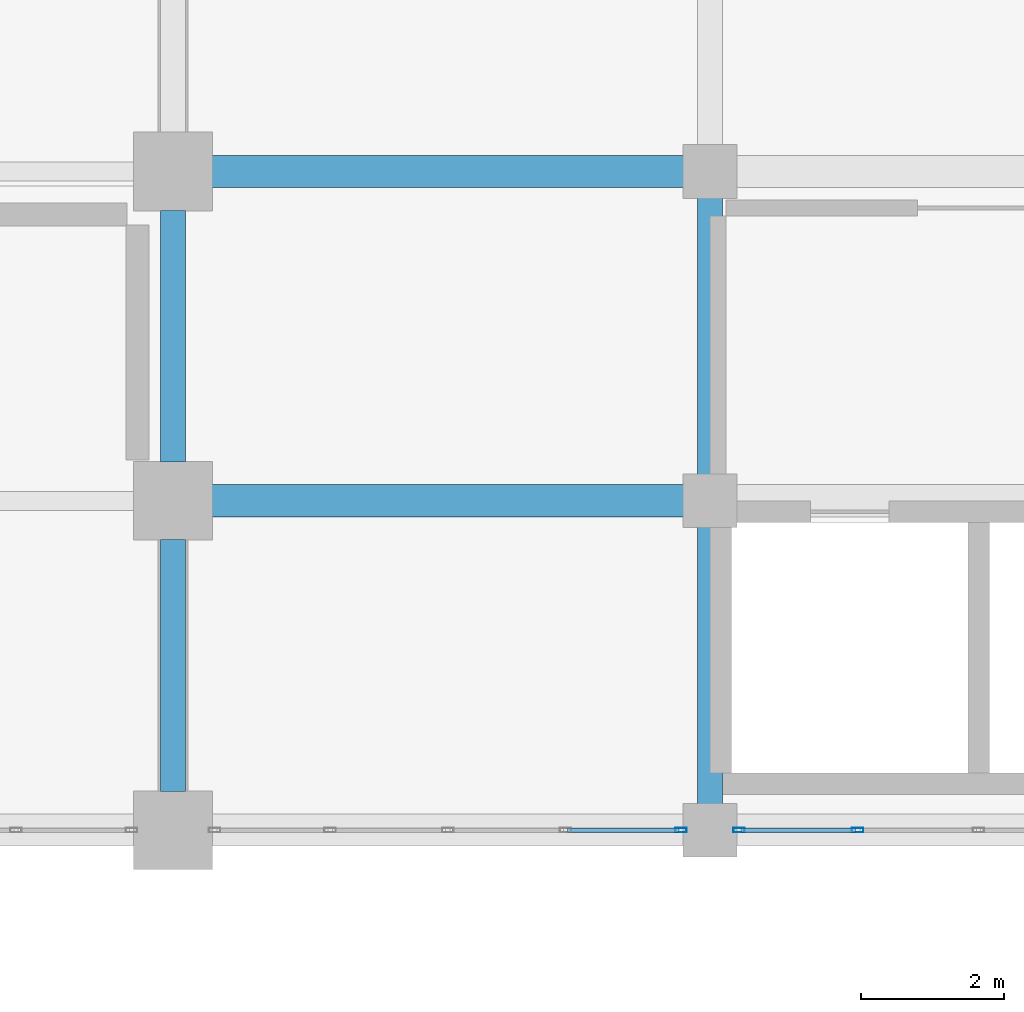
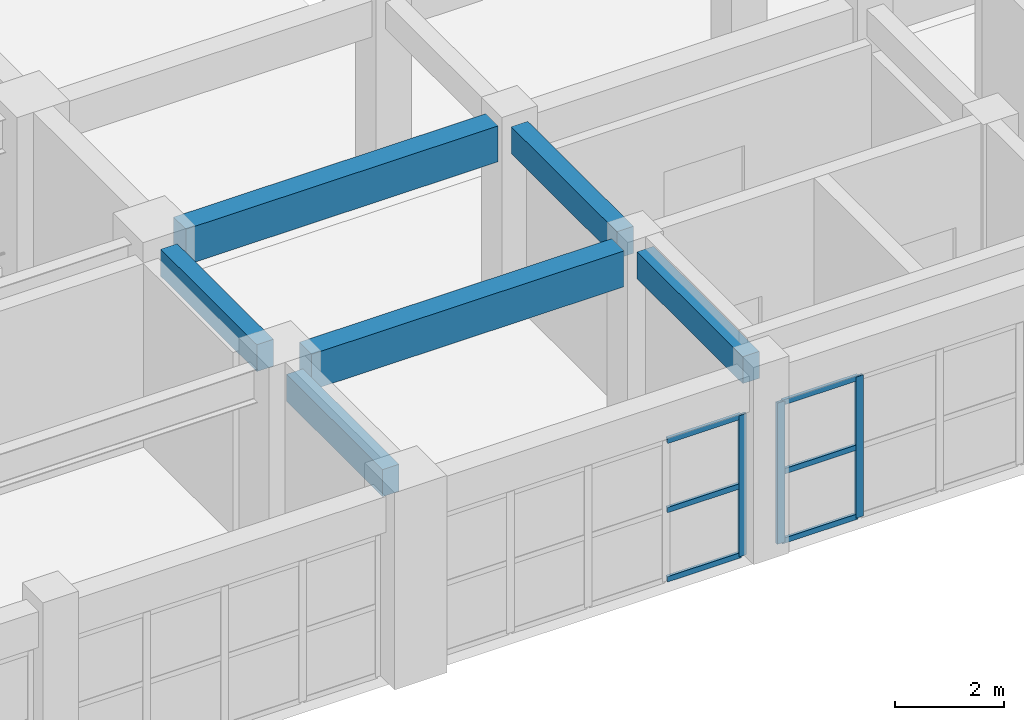
# One storey, part 26 of 90: 9 members, 6 beams, 2 elements without a shape of their own.
"""IFC4 building model written with IfcOpenShell, lengths in metres."""

from ifc_helpers import new_model, si_unit, direction, frame, origin, origin_2d, place, context, subcontext, project, spatial, rectangle, hollow_rectangle, extrude, material, layer, layer_set, material_profile, profile_set, type_object, element, aggregate, save


model = new_model("IFC4")

# Units and contexts
model_context = context("Model", 3, precision=1e-05, world=origin(), true_north=direction((0.0, 1.0)))
body_context = subcontext(model_context, "Body", "Model", "MODEL_VIEW")
ifc_project = project(units=[si_unit("LENGTHUNIT", "METRE"), si_unit("AREAUNIT", "SQUARE_METRE"), si_unit("VOLUMEUNIT", "CUBIC_METRE"), si_unit("PLANEANGLEUNIT", "RADIAN"), si_unit("MASSUNIT", "GRAM", prefix="KILO")], contexts=[model_context])

# Site, building, storey
site_placement = place(None, origin())
site = spatial("IfcSite", under=ifc_project, at=site_placement, CompositionType="ELEMENT")
building_placement = place(site_placement, origin())
building = spatial("IfcBuilding", under=site, at=building_placement, Name="Muzn Square Opera House", CompositionType="ELEMENT")
storey_placement = place(building_placement, frame((0.0, 0.0, 9.800048828125)))
storey = spatial("IfcBuildingStorey", under=building, at=storey_placement, Name="L02", CompositionType="ELEMENT", Elevation=9.800048828125)

# Curtain wall, member
ifc_material_1 = material(Name="Low-E laminated acoustic double glazing", Category="glass")
ifc_layer_1 = layer(ifc_material_1, 0.159912109375, Name="Low-E laminated acoustic double glazing", Category="glass")
ifc_layer_set_1 = layer_set([ifc_layer_1], Name="Low-E laminated acoustic double glazing")
curtain_wall_type_1 = type_object("IfcCurtainWallType", Name="Glazed Curtain Wall Forecourt 6575x3150", PredefinedType="USERDEFINED", material=ifc_layer_set_1)
curtain_wall_1_placement = place(storey_placement, origin())
curtain_wall_1 = element("IfcCurtainWall", 1, at=curtain_wall_1_placement, inside=storey, type_object=curtain_wall_type_1, Name="Glazed Curtain Wall CW-L02-017", ObjectType="GLAZED CURTAIN WALL", PredefinedType="USERDEFINED")
ifc_material_2 = material(Name="Anodised bronze aluminium 6063-T6", Category="metal")
ifc_material_profile_1 = material_profile(ifc_material_2, hollow_rectangle(XDim=0.06005859375, YDim=0.159912109375, WallThickness=0.00390625, at=origin_2d()), Name="ALU 160x60x4", Category="metal")
ifc_profile_set_1 = profile_set([ifc_material_profile_1], Name="Anodised bronze aluminium 6063-T6")
member_type_1 = type_object("IfcMemberType", Name="Curtain Wall Mullion 160x60", PredefinedType="MULLION", material=ifc_profile_set_1)
member_1_placement = place(storey_placement, frame((110.094970703125, 22.0, 0.0), z_axis=(0.0, 0.0, 1.0), x_axis=(0.0, 1.0, 0.0)))
member_1 = element("IfcMember", 2, at=member_1_placement, type_object=member_type_1, Name="CW-FC-65x31 mullion 5", PredefinedType="MULLION", context=body_context, shape_type="SweptSolid", body=[
    extrude(hollow_rectangle(XDim=0.06005859375, YDim=0.159912109375, WallThickness=0.00390625, at=origin_2d()), origin(), (0.0, 0.0, 1.0), 3.14990234375),
])

# Curtain wall, members
ifc_layer_2 = layer(ifc_material_1, 0.159912109375, Name="Low-E laminated acoustic double glazing", Category="glass")
ifc_layer_set_2 = layer_set([ifc_layer_2], Name="Low-E laminated acoustic double glazing")
curtain_wall_type_2 = type_object("IfcCurtainWallType", Name="Glazed Curtain Wall Forecourt 6750x3150", PredefinedType="USERDEFINED", material=ifc_layer_set_2)
curtain_wall_2_placement = place(storey_placement, origin())
curtain_wall_2 = element("IfcCurtainWall", 3, at=curtain_wall_2_placement, inside=storey, type_object=curtain_wall_type_2, Name="Glazed Curtain Wall CW-L02-018", ObjectType="GLAZED CURTAIN WALL", PredefinedType="USERDEFINED")
member_2_placement = place(storey_placement, frame((110.905029296875, 22.0, 0.0), z_axis=(0.0, 0.0, 1.0), x_axis=(0.0, 1.0, 0.0)))
member_2 = element("IfcMember", 4, at=member_2_placement, type_object=member_type_1, Name="CW-FC-67x31 mullion 1", PredefinedType="MULLION", context=body_context, shape_type="SweptSolid", body=[
    extrude(hollow_rectangle(XDim=0.06005859375, YDim=0.159912109375, WallThickness=0.00390625, at=origin_2d()), origin(), (0.0, 0.0, 1.0), 3.14990234375),
])
member_3_placement = place(storey_placement, frame((112.5625, 22.0, 0.0), z_axis=(0.0, 0.0, 1.0), x_axis=(0.0, 1.0, 0.0)))
member_3 = element("IfcMember", 5, at=member_3_placement, type_object=member_type_1, Name="CW-FC-67x31 mullion 2", PredefinedType="MULLION", context=body_context, shape_type="SweptSolid", body=[
    extrude(hollow_rectangle(XDim=0.06005859375, YDim=0.159912109375, WallThickness=0.00390625, at=origin_2d()), origin(), (0.0, 0.0, 1.0), 3.14990234375),
])

# Member
ifc_material_profile_2 = material_profile(ifc_material_2, hollow_rectangle(XDim=0.06005859375, YDim=0.1201171875, WallThickness=0.00390625, at=origin_2d()), Name="ALU 120x60x4", Category="metal")
ifc_profile_set_2 = profile_set([ifc_material_profile_2], Name="Anodised bronze aluminium 6063-T6")
member_type_2 = type_object("IfcMemberType", Name="Curtain Wall Transom 120x60", PredefinedType="USERDEFINED", material=ifc_profile_set_2)
member_4_placement = place(storey_placement, frame((108.51123046875, 22.0, 0.030029296875), z_axis=(1.0, 0.0, 0.0), x_axis=(0.0, 1.0, 0.0)))
member_4 = element("IfcMember", 6, at=member_4_placement, type_object=member_type_2, Name="CW-FC-65x31 transom 4.1", ObjectType="TRANSOM", PredefinedType="USERDEFINED", context=body_context, shape_type="SweptSolid", body=[
    extrude(hollow_rectangle(XDim=0.06005859375, YDim=0.1201171875, WallThickness=0.00390625, at=origin_2d()), origin(), (0.0, 0.0, 1.0), 1.5537109375),
])

member_5_placement = place(storey_placement, frame((108.51123046875, 22.0, 1.574951171875), z_axis=(1.0, 0.0, 0.0), x_axis=(0.0, 1.0, 0.0)))
member_5 = element("IfcMember", 7, at=member_5_placement, type_object=member_type_2, Name="CW-FC-65x31 transom 4.2", ObjectType="TRANSOM", PredefinedType="USERDEFINED", context=body_context, shape_type="SweptSolid", body=[
    extrude(hollow_rectangle(XDim=0.06005859375, YDim=0.1201171875, WallThickness=0.00390625, at=origin_2d()), origin(), (0.0, 0.0, 1.0), 1.5537109375),
])

member_6_placement = place(storey_placement, frame((108.51123046875, 22.0, 3.119873046875), z_axis=(1.0, 0.0, 0.0), x_axis=(0.0, 1.0, 0.0)))
member_6 = element("IfcMember", 8, at=member_6_placement, type_object=member_type_2, Name="CW-FC-65x31 transom 4.3", ObjectType="TRANSOM", PredefinedType="USERDEFINED", context=body_context, shape_type="SweptSolid", body=[
    extrude(hollow_rectangle(XDim=0.06005859375, YDim=0.1201171875, WallThickness=0.00390625, at=origin_2d()), origin(), (0.0, 0.0, 1.0), 1.5537109375),
])

aggregate(curtain_wall_1, [member_1, member_4, member_5, member_6])

member_7_placement = place(storey_placement, frame((110.93505859375, 22.0, 0.030029296875), z_axis=(1.0, 0.0, 0.0), x_axis=(0.0, 1.0, 0.0)))
member_7 = element("IfcMember", 9, at=member_7_placement, type_object=member_type_2, Name="CW-FC-67x31 transom 1.1", ObjectType="TRANSOM", PredefinedType="USERDEFINED", context=body_context, shape_type="SweptSolid", body=[
    extrude(hollow_rectangle(XDim=0.06005859375, YDim=0.1201171875, WallThickness=0.00390625, at=origin_2d()), origin(), (0.0, 0.0, 1.0), 1.597412109375),
])

member_8_placement = place(storey_placement, frame((110.93505859375, 22.0, 1.574951171875), z_axis=(1.0, 0.0, 0.0), x_axis=(0.0, 1.0, 0.0)))
member_8 = element("IfcMember", 10, at=member_8_placement, type_object=member_type_2, Name="CW-FC-67x31 transom 1.2", ObjectType="TRANSOM", PredefinedType="USERDEFINED", context=body_context, shape_type="SweptSolid", body=[
    extrude(hollow_rectangle(XDim=0.06005859375, YDim=0.1201171875, WallThickness=0.00390625, at=origin_2d()), origin(), (0.0, 0.0, 1.0), 1.597412109375),
])

member_9_placement = place(storey_placement, frame((110.93505859375, 22.0, 3.119873046875), z_axis=(1.0, 0.0, 0.0), x_axis=(0.0, 1.0, 0.0)))
member_9 = element("IfcMember", 11, at=member_9_placement, type_object=member_type_2, Name="CW-FC-67x31 transom 1.3", ObjectType="TRANSOM", PredefinedType="USERDEFINED", context=body_context, shape_type="SweptSolid", body=[
    extrude(hollow_rectangle(XDim=0.06005859375, YDim=0.1201171875, WallThickness=0.00390625, at=origin_2d()), origin(), (0.0, 0.0, 1.0), 1.597412109375),
])

aggregate(curtain_wall_2, [member_2, member_3, member_7, member_8, member_9])

# Beams
ifc_material_3 = material(Name="Concrete C40/50", Category="concrete")
ifc_material_profile_3 = material_profile(ifc_material_3, rectangle(XDim=0.35009765625, YDim=0.60009765625, at=origin_2d()), Name="RCB 350x600", Category="concrete")
ifc_profile_set_3 = profile_set([ifc_material_profile_3], Name="Concrete C40/50")
beam_type_1 = type_object("IfcBeamType", Name="Primary Girder 350x600", PredefinedType="BEAM", material=ifc_profile_set_3)
beam_1_placement = place(storey_placement, frame((103.0, 22.5419921875, 3.820068359375), z_axis=(0.0, 1.0, 0.0), x_axis=(-1.0, 0.0, 0.0)))
element("IfcBeam", 12, at=beam_1_placement, inside=storey, type_object=beam_type_1, Name="Primary Girder BM-L02-BM-PG600-1030_225_1030_261-2207", PredefinedType="BEAM", context=body_context, shape_type="SweptSolid", body=[
    extrude(rectangle(XDim=0.35009765625, YDim=0.60009765625, at=origin_2d()), origin(), (0.0, 0.0, 1.0), 3.51611328125),
])
beam_2_placement = place(storey_placement, frame((103.0, 27.14208984375, 3.820068359375), z_axis=(0.0, 1.0, 0.0), x_axis=(-1.0, 0.0, 0.0)))
element("IfcBeam", 13, at=beam_2_placement, inside=storey, type_object=beam_type_1, Name="Primary Girder BM-L02-BM-PG600-1030_271_1030_307-2208", PredefinedType="BEAM", context=body_context, shape_type="SweptSolid", body=[
    extrude(rectangle(XDim=0.35009765625, YDim=0.60009765625, at=origin_2d()), origin(), (0.0, 0.0, 1.0), 3.515869140625),
])
for number, where, z_axis, x_axis, name in (
    (14, (110.5, 22.366943359375, 3.820068359375), (0.0, 1.0, 0.0), (-1.0, 0.0, 0.0), "Primary Girder BM-L02-BM-PG600-1105_224_1105_262-2219"),
    (15, (110.5, 26.967041015625, 3.820068359375), (0.0, 1.0, 0.0), (-1.0, 0.0, 0.0), "Primary Girder BM-L02-BM-PG600-1105_270_1105_308-2220"),
):
    element("IfcBeam", number, at=place(storey_placement, frame(where, z_axis=z_axis, x_axis=x_axis)), inside=storey, type_object=beam_type_1, Name=name, PredefinedType="BEAM", context=body_context, shape_type="SweptSolid", body=[
        extrude(rectangle(XDim=0.35009765625, YDim=0.60009765625, at=origin_2d()), origin(), (0.0, 0.0, 1.0), 3.865966796875),
    ])
ifc_material_profile_4 = material_profile(ifc_material_3, rectangle(XDim=0.449951171875, YDim=0.800048828125, at=origin_2d()), Name="RCB 450x800", Category="concrete")
ifc_profile_set_4 = profile_set([ifc_material_profile_4], Name="Concrete C40/50")
beam_type_2 = type_object("IfcBeamType", Name="Primary Girder 450x800", PredefinedType="BEAM", material=ifc_profile_set_4)
for number, where, z_axis, x_axis, name in (
    (16, (103.5419921875, 26.60009765625, 3.719970703125), (1.0, 0.0, 0.0), (0.0, 1.0, 0.0), "Primary Girder BM-L02-BM-PG800-1035_266_1101_266-1972"),
    (17, (103.5419921875, 31.199951171875, 3.719970703125), (1.0, 0.0, 0.0), (0.0, 1.0, 0.0), "Primary Girder BM-L02-BM-PG800-1035_312_1101_312-1989"),
):
    element("IfcBeam", number, at=place(storey_placement, frame(where, z_axis=z_axis, x_axis=x_axis)), inside=storey, type_object=beam_type_2, Name=name, PredefinedType="BEAM", context=body_context, shape_type="SweptSolid", body=[
        extrude(rectangle(XDim=0.449951171875, YDim=0.800048828125, at=origin_2d()), origin(), (0.0, 0.0, 1.0), 6.591064453125),
    ])

save(model, "model.ifc")
